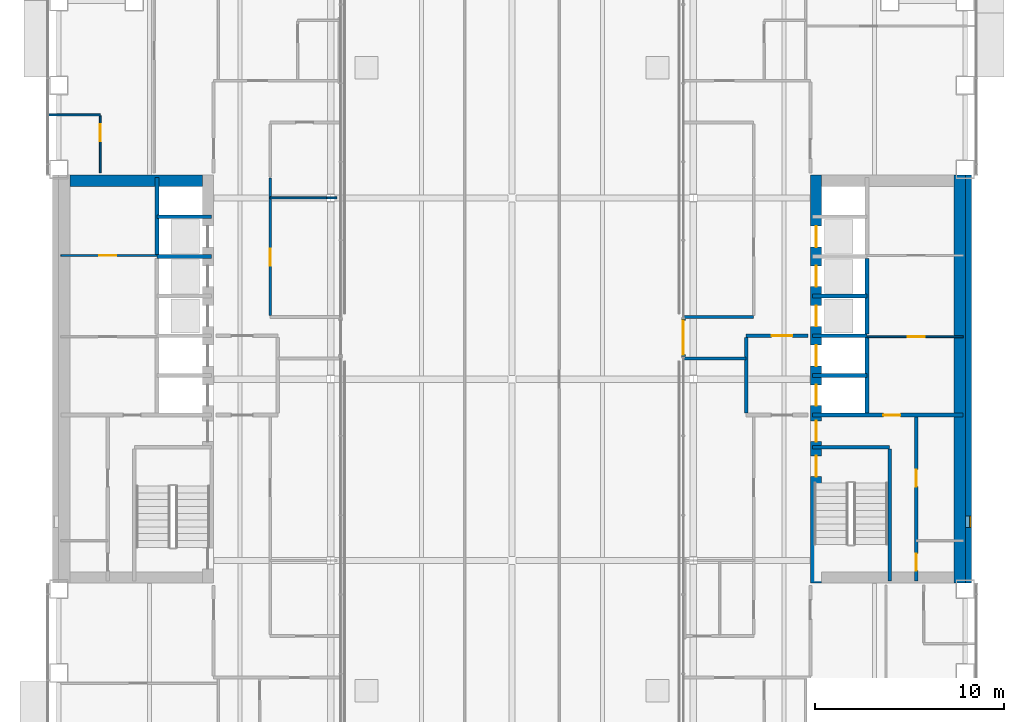
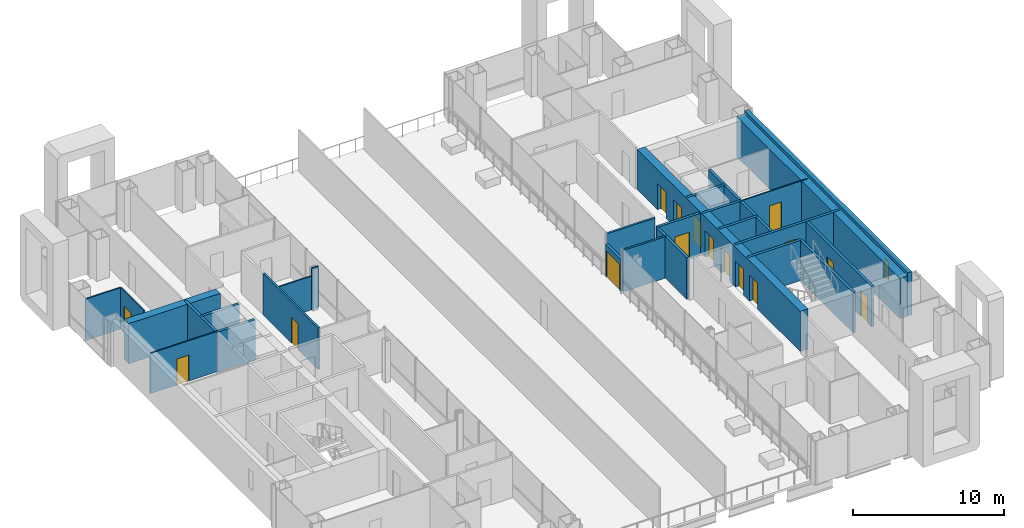
# One storey, part 19 of 24: 28 walls, 16 doors, 1 window, 17 openings.
"""IFC4 building model written with IfcOpenShell, lengths in metres."""

from ifc_helpers import new_model, si_unit, direction, frame, frame_2d, origin, place, context, subcontext, project, spatial, rectangle, extrude, material, layer, layer_set, type_object, element, fill, save


model = new_model("IFC4")

# Units and contexts
model_context = context("Model", 3, precision=1e-05, world=origin(), true_north=direction((0.0, 1.0)))
body_context = subcontext(model_context, "Body", "Model", "MODEL_VIEW")
ifc_project = project(units=[si_unit("LENGTHUNIT", "METRE"), si_unit("AREAUNIT", "SQUARE_METRE"), si_unit("VOLUMEUNIT", "CUBIC_METRE"), si_unit("PLANEANGLEUNIT", "RADIAN"), si_unit("MASSUNIT", "GRAM", prefix="KILO")], contexts=[model_context])

# Site, building, storey
site_placement = place(None, origin())
site = spatial("IfcSite", under=ifc_project, at=site_placement, CompositionType="ELEMENT")
building_placement = place(site_placement, origin())
building = spatial("IfcBuilding", under=site, at=building_placement, Name="Cobrizo Arcos Hotel Tower", CompositionType="ELEMENT")
storey_placement = place(building_placement, frame((0.0, 0.0, 60.0)))
storey = spatial("IfcBuildingStorey", under=building, at=storey_placement, Name="L13", CompositionType="ELEMENT", Elevation=60.0)

# Walls
ifc_material_1 = material(Name="Gypsum board partition")
ifc_layer_1 = layer(ifc_material_1, 0.14990234375)
ifc_layer_set_1 = layer_set([ifc_layer_1], Name="Corridor wall EI 60 150")
wall_type_1 = type_object("IfcWallType", Name="Corridor wall EI 60 150", PredefinedType="PARTITIONING", material=ifc_layer_set_1)
wall_1_placement = place(storey_placement, frame((9.1201171875, 1.10009765625, 0.0), z_axis=(0.0, 0.0, 1.0), x_axis=(1.0, 0.0, 0.0)))
element("IfcWall", 1, at=wall_1_placement, inside=storey, type_object=wall_type_1, Name="Partition 025", PredefinedType="PARTITIONING", context=body_context, shape_type="SweptSolid", body=[
    extrude(rectangle(XDim=3.27978515625, YDim=0.14990234375, at=frame_2d((1.639892578125, 0.0))), origin(), (0.0, 0.0, 1.0), 3.35009765625),
])
wall_2_placement = place(storey_placement, frame((9.1201171875, 3.300048828125, 0.0), z_axis=(0.0, 0.0, 1.0), x_axis=(1.0, 0.0, 0.0)))
element("IfcWall", 2, at=wall_2_placement, inside=storey, type_object=wall_type_1, Name="Partition 033", PredefinedType="PARTITIONING", context=body_context, shape_type="SweptSolid", body=[
    extrude(rectangle(XDim=3.679931640625, YDim=0.14990234375, at=frame_2d((1.83984375, 0.0))), origin(), (0.0, 0.0, 1.0), 3.35009765625),
])

# Wall, opening, door
wall_3_placement = place(storey_placement, frame((-12.800048828125, 3.375, 0.0), z_axis=(0.0, 0.0, 1.0), x_axis=(0.0, 1.0, 0.0)))
wall_3 = element("IfcWall", 3, at=wall_3_placement, inside=storey, type_object=wall_type_1, Name="Partition 067", PredefinedType="PARTITIONING", context=body_context, shape_type="SweptSolid", body=[
    extrude(rectangle(XDim=7.27490234375, YDim=0.14990234375, at=frame_2d((3.637451171875, 0.0))), origin(), (0.0, 0.0, 1.0), 3.35009765625),
])
opening_1_placement = place(wall_3_placement, frame((2.625, 0.0, 0.0)))
opening_1 = element("IfcOpeningElement", 4, at=opening_1_placement, cuts=wall_3, Name="Opening RD-17", PredefinedType="OPENING", context=body_context, shape_type="SweptSolid", body=[
    extrude(rectangle(XDim=0.89990234375, YDim=2.10009765625, at=frame_2d((0.449951171875, 1.050048828125))), frame((0.0, 0.0869140625, 0.0), z_axis=(0.0, -1.0, 0.0), x_axis=(1.0, 0.0, 0.0)), (0.0, 0.0, 1.0), 0.173828125),
])
ifc_material_2 = material(Name="Timber door leaf", Category="wood")
door_type_1 = type_object("IfcDoorType", Name="Room door FD30 900x2100", OperationType="SINGLE_SWING_LEFT", PredefinedType="DOOR", material=ifc_material_2)
door_1_placement = place(opening_1_placement, origin())
door_1 = element("IfcDoor", 5, at=door_1_placement, inside=storey, type_object=door_type_1, Name="Door RD-17", OperationType="SINGLE_SWING_RIGHT", OverallHeight=2.10009765625, OverallWidth=0.89990234375, PredefinedType="DOOR", context=body_context, shape_type="SweptSolid", body=[
    extrude(rectangle(XDim=0.89990234375, YDim=2.10009765625, at=frame_2d((0.449951171875, 1.050048828125))), frame((0.0, 0.02490234375, 0.0), z_axis=(0.0, -1.0, 0.0), x_axis=(1.0, 0.0, 0.0)), (0.0, 0.0, 1.0), 0.050048828125),
])
fill(opening_1, door_1)

# Wall, opening, window
ifc_material_3 = material(Name="Aluminium composite panel pale metal", Category="aluminium")
ifc_layer_2 = layer(ifc_material_3, 0.324951171875)
ifc_layer_set_2 = layer_set([ifc_layer_2], Name="EW-1 insulated panel wall 325")
wall_type_2 = type_object("IfcWallType", Name="EW-1 insulated panel wall 325", PredefinedType="SOLIDWALL", material=ifc_layer_set_2)
wall_4_placement = place(storey_placement, frame((24.16259765625, -10.800048828125, 0.0), z_axis=(0.0, 0.0, 1.0), x_axis=(0.0, 1.0, 0.0)))
wall_4 = element("IfcWall", 6, at=wall_4_placement, inside=storey, type_object=wall_type_2, Name="Core face wall L13 E", PredefinedType="SOLIDWALL", context=body_context, shape_type="SweptSolid", body=[
    extrude(rectangle(XDim=21.60009765625, YDim=0.324951171875, at=frame_2d((10.800048828125, 0.0))), origin(), (0.0, 0.0, 1.0), 3.5),
])
opening_2_placement = place(wall_4_placement, frame((2.949951171875, 0.0, 1.0)))
opening_2 = element("IfcOpeningElement", 7, at=opening_2_placement, cuts=wall_4, Name="Opening W-21", PredefinedType="OPENING", context=body_context, shape_type="SweptSolid", body=[
    extrude(rectangle(XDim=0.60009765625, YDim=1.5, at=frame_2d((0.300048828125, 0.75))), frame((0.0, 0.174560546875, 0.0), z_axis=(0.0, -1.0, 0.0), x_axis=(1.0, 0.0, 0.0)), (0.0, 0.0, 1.0), 0.348876953125),
])
ifc_material_4 = material(Name="Aluminium 6063-T6 and clear laminated glass", Category="aluminium")
window_type = type_object("IfcWindowType", Name="W-C1 core stair slot window 600x1500", PartitioningType="SINGLE_PANEL", PredefinedType="WINDOW", material=ifc_material_4)
window_placement = place(opening_2_placement, origin())
window = element("IfcWindow", 8, at=window_placement, inside=storey, type_object=window_type, Name="Core face wall L13 E window W-21", OverallHeight=1.5, OverallWidth=0.60009765625, PartitioningType="SINGLE_PANEL", PredefinedType="WINDOW", context=body_context, shape_type="SweptSolid", body=[
    extrude(rectangle(XDim=0.60009765625, YDim=1.5, at=frame_2d((0.300048828125, 0.75))), frame((0.0, -0.072509765625, 0.0), z_axis=(0.0, -1.0, 0.0), x_axis=(1.0, 0.0, 0.0)), (0.0, 0.0, 1.0), 0.06005859375),
])
fill(opening_2, window)

# Wall, opening, door
ifc_material_5 = material(Name="Aluminium 6063-T6 anodised pale", Category="aluminium")
ifc_layer_3 = layer(ifc_material_5, 0.199951171875)
ifc_layer_set_3 = layer_set([ifc_layer_3], Name="EW-4 sky bridge door frame wall")
wall_type_3 = type_object("IfcWallType", Name="EW-4 sky bridge door frame wall", PredefinedType="SOLIDWALL", material=ifc_layer_set_3)
wall_5_placement = place(storey_placement, frame((9.074951171875, 1.199951171875, 0.0), z_axis=(0.0, 0.0, 1.0), x_axis=(0.0, 1.0, 0.0)))
wall_5 = element("IfcWall", 9, at=wall_5_placement, inside=storey, type_object=wall_type_3, Name="Garden deck door wall A E", PredefinedType="SOLIDWALL", context=body_context, shape_type="SweptSolid", body=[
    extrude(rectangle(XDim=2.0, YDim=0.199951171875, at=frame_2d((1.0, 0.0))), origin(), (0.0, 0.0, 1.0), 2.59326171875),
])
opening_3_placement = place(wall_5_placement, frame((0.10009765625, 0.0, 0.0)))
opening_3 = element("IfcOpeningElement", 10, at=opening_3_placement, cuts=wall_5, Name="Opening E-18", PredefinedType="OPENING", context=body_context, shape_type="SweptSolid", body=[
    extrude(rectangle(XDim=1.800048828125, YDim=2.10009765625, at=frame_2d((0.89990234375, 1.050048828125))), frame((0.0, 0.112060546875, 0.0), z_axis=(0.0, -1.0, 0.0), x_axis=(1.0, 0.0, 0.0)), (0.0, 0.0, 1.0), 0.223876953125),
])
door_type_2 = type_object("IfcDoorType", Name="D-B1 sky bridge double door 1800x2100", OperationType="DOUBLE_DOOR_DOUBLE_SWING", PredefinedType="DOOR", material=ifc_material_4)
door_2_placement = place(opening_3_placement, origin())
door_2 = element("IfcDoor", 11, at=door_2_placement, inside=storey, type_object=door_type_2, Name="Garden deck door wall A E door E-18", OperationType="DOUBLE_DOOR_DOUBLE_SWING", OverallHeight=2.10009765625, OverallWidth=1.800048828125, PredefinedType="DOOR", context=body_context, shape_type="SweptSolid", body=[
    extrude(rectangle(XDim=1.800048828125, YDim=2.10009765625, at=frame_2d((0.89990234375, 1.050048828125))), frame((0.0, 0.02490234375, 0.0), z_axis=(0.0, -1.0, 0.0), x_axis=(1.0, 0.0, 0.0)), (0.0, 0.0, 1.0), 0.050048828125),
])
fill(opening_3, door_2)

ifc_layer_4 = layer(ifc_material_1, 0.10009765625)
ifc_layer_set_4 = layer_set([ifc_layer_4], Name="Partition EI 30 100")
wall_type_4 = type_object("IfcWallType", Name="Partition EI 30 100", PredefinedType="PARTITIONING", material=ifc_layer_set_4)
wall_6_placement = place(storey_placement, frame((18.800048828125, 2.25, 0.0), z_axis=(0.0, 0.0, 1.0), x_axis=(1.0, 0.0, 0.0)))
wall_6 = element("IfcWall", 12, at=wall_6_placement, inside=storey, type_object=wall_type_4, Name="Partition 027", PredefinedType="PARTITIONING", context=body_context, shape_type="SweptSolid", body=[
    extrude(rectangle(XDim=5.079833984375, YDim=0.10009765625, at=frame_2d((2.5400390625, 0.0))), origin(), (0.0, 0.0, 1.0), 3.25),
])
opening_4_placement = place(wall_6_placement, frame((2.14990234375, 0.0, 0.0)))
opening_4 = element("IfcOpeningElement", 13, at=opening_4_placement, cuts=wall_6, Name="Opening RD-09", PredefinedType="OPENING", context=body_context, shape_type="SweptSolid", body=[
    extrude(rectangle(XDim=0.89990234375, YDim=2.10009765625, at=frame_2d((0.449951171875, 1.050048828125))), frame((0.0, 0.06201171875, 0.0), z_axis=(0.0, -1.0, 0.0), x_axis=(1.0, 0.0, 0.0)), (0.0, 0.0, 1.0), 0.1240234375),
])
door_3_placement = place(opening_4_placement, origin())
door_3 = element("IfcDoor", 14, at=door_3_placement, inside=storey, type_object=door_type_1, Name="Door RD-09", OperationType="SINGLE_SWING_RIGHT", OverallHeight=2.10009765625, OverallWidth=0.89990234375, PredefinedType="DOOR", context=body_context, shape_type="SweptSolid", body=[
    extrude(rectangle(XDim=0.89990234375, YDim=2.10009765625, at=frame_2d((0.449951171875, 1.050048828125))), frame((0.0, 0.02490234375, 0.0), z_axis=(0.0, -1.0, 0.0), x_axis=(1.0, 0.0, 0.0)), (0.0, 0.0, 1.0), 0.050048828125),
])
fill(opening_4, door_3)

wall_7_placement = place(storey_placement, frame((-23.8798828125, 6.550048828125, 0.0), z_axis=(0.0, 0.0, 1.0), x_axis=(1.0, 0.0, 0.0)))
wall_7 = element("IfcWall", 15, at=wall_7_placement, inside=storey, type_object=wall_type_4, Name="Partition 038", PredefinedType="PARTITIONING", context=body_context, shape_type="SweptSolid", body=[
    extrude(rectangle(XDim=5.079833984375, YDim=0.10009765625, at=frame_2d((2.5400390625, 0.0))), origin(), (0.0, 0.0, 1.0), 3.25),
])
opening_5_placement = place(wall_7_placement, frame((2.030029296875, 0.0, 0.0)))
opening_5 = element("IfcOpeningElement", 16, at=opening_5_placement, cuts=wall_7, Name="Opening RD-05", PredefinedType="OPENING", context=body_context, shape_type="SweptSolid", body=[
    extrude(rectangle(XDim=0.89990234375, YDim=2.10009765625, at=frame_2d((0.449951171875, 1.050048828125))), frame((0.0, 0.06201171875, 0.0), z_axis=(0.0, -1.0, 0.0), x_axis=(1.0, 0.0, 0.0)), (0.0, 0.0, 1.0), 0.1240234375),
])
door_4_placement = place(opening_5_placement, origin())
door_4 = element("IfcDoor", 17, at=door_4_placement, inside=storey, type_object=door_type_1, Name="Door RD-05", OperationType="SINGLE_SWING_LEFT", OverallHeight=2.10009765625, OverallWidth=0.89990234375, PredefinedType="DOOR", context=body_context, shape_type="SweptSolid", body=[
    extrude(rectangle(XDim=0.89990234375, YDim=2.10009765625, at=frame_2d((0.449951171875, 1.050048828125))), frame((0.0, 0.02490234375, 0.0), z_axis=(0.0, -1.0, 0.0), x_axis=(1.0, 0.0, 0.0)), (0.0, 0.0, 1.0), 0.050048828125),
])
fill(opening_5, door_4)

# Walls
wall_8_placement = place(storey_placement, frame((-12.800048828125, 9.60009765625, 0.0), z_axis=(0.0, 0.0, 1.0), x_axis=(1.0, 0.0, 0.0)))
element("IfcWall", 18, at=wall_8_placement, inside=storey, type_object=wall_type_4, Name="Partition 042", PredefinedType="PARTITIONING", context=body_context, shape_type="SweptSolid", body=[
    extrude(rectangle(XDim=2.99609375, YDim=0.10009765625, at=frame_2d((1.498046875, 0.0))), origin(), (0.0, 0.0, 1.0), 2.72802734375),
])
wall_9_placement = place(storey_placement, frame((-9.803955078125, 9.60009765625, 0.0), z_axis=(0.0, 0.0, 1.0), x_axis=(1.0, 0.0, 0.0)))
element("IfcWall", 19, at=wall_9_placement, inside=storey, type_object=wall_type_4, Name="Partition 043", PredefinedType="PARTITIONING", context=body_context, shape_type="SweptSolid", body=[
    extrude(rectangle(XDim=0.533935546875, YDim=0.10009765625, at=frame_2d((0.26708984375, 0.0))), origin(), (0.0, 0.0, 1.0), 3.35009765625),
])
wall_10_placement = place(storey_placement, frame((-24.530029296875, 14.0, 0.0), z_axis=(0.0, 0.0, 1.0), x_axis=(1.0, 0.0, 0.0)))
element("IfcWall", 20, at=wall_10_placement, inside=storey, type_object=wall_type_4, Name="Partition 046", PredefinedType="PARTITIONING", context=body_context, shape_type="SweptSolid", body=[
    extrude(rectangle(XDim=2.72998046875, YDim=0.10009765625, at=frame_2d((1.364990234375, 0.0))), origin(), (0.0, 0.0, 1.0), 3.35009765625),
])

# Wall, opening, door
wall_11_placement = place(storey_placement, frame((-21.800048828125, 10.919921875, 0.0), z_axis=(0.0, 0.0, 1.0), x_axis=(0.0, 1.0, 0.0)))
wall_11 = element("IfcWall", 21, at=wall_11_placement, inside=storey, type_object=wall_type_4, Name="Partition 053", PredefinedType="PARTITIONING", context=body_context, shape_type="SweptSolid", body=[
    extrude(rectangle(XDim=3.030029296875, YDim=0.10009765625, at=frame_2d((1.51513671875, 0.0))), origin(), (0.0, 0.0, 1.0), 3.35009765625),
])
opening_6_placement = place(wall_11_placement, frame((1.669921875, 0.0, 0.0)))
opening_6 = element("IfcOpeningElement", 22, at=opening_6_placement, cuts=wall_11, Name="Opening ED-06", PredefinedType="OPENING", context=body_context, shape_type="SweptSolid", body=[
    extrude(rectangle(XDim=0.89990234375, YDim=2.10009765625, at=frame_2d((0.449951171875, 1.050048828125))), frame((0.0, 0.06201171875, 0.0), z_axis=(0.0, -1.0, 0.0), x_axis=(1.0, 0.0, 0.0)), (0.0, 0.0, 1.0), 0.1240234375),
])
door_type_3 = type_object("IfcDoorType", Name="En-suite door 900x2100", OperationType="SINGLE_SWING_LEFT", PredefinedType="DOOR", material=ifc_material_2)
door_5_placement = place(opening_6_placement, origin())
door_5 = element("IfcDoor", 23, at=door_5_placement, inside=storey, type_object=door_type_3, Name="Door ED-06", OperationType="SINGLE_SWING_LEFT", OverallHeight=2.10009765625, OverallWidth=0.89990234375, PredefinedType="DOOR", context=body_context, shape_type="SweptSolid", body=[
    extrude(rectangle(XDim=0.89990234375, YDim=2.10009765625, at=frame_2d((0.449951171875, 1.050048828125))), frame((0.0, 0.02490234375, 0.0), z_axis=(0.0, -1.0, 0.0), x_axis=(1.0, 0.0, 0.0)), (0.0, 0.0, 1.0), 0.050048828125),
])
fill(opening_6, door_5)

# Wall, openings, doors
ifc_material_6 = material(Name="Concrete f'c 60 MPa", Category="concrete")
ifc_layer_5 = layer(ifc_material_6, 0.60009765625)
ifc_layer_set_5 = layer_set([ifc_layer_5], Name="RC core wall 600 f'c 60")
wall_type_5 = type_object("IfcWallType", Name="RC core wall 600 f'c 60", PredefinedType="SHEAR", material=ifc_layer_set_5)
wall_12_placement = place(storey_placement, frame((16.10009765625, -10.800048828125, 0.0), z_axis=(0.0, 0.0, 1.0), x_axis=(0.0, 1.0, 0.0)))
wall_12 = element("IfcWall", 24, at=wall_12_placement, inside=storey, type_object=wall_type_5, Name="Core wall CW1, east core, inner face, L13", PredefinedType="SHEAR", context=body_context, shape_type="SweptSolid", body=[
    extrude(rectangle(XDim=21.60009765625, YDim=0.60009765625, at=frame_2d((10.800048828125, 0.0))), origin(), (0.0, 0.0, 1.0), 3.25),
])
opening_7_placement = place(wall_12_placement, frame((9.39990234375, 0.0, 0.0)))
opening_7 = element("IfcOpeningElement", 25, at=opening_7_placement, cuts=wall_12, Name="Opening LD-06", PredefinedType="OPENING", context=body_context, shape_type="SweptSolid", body=[
    extrude(rectangle(XDim=1.10009765625, YDim=2.10009765625, at=frame_2d((0.550048828125, 1.050048828125))), frame((0.0, 0.31201171875, 0.0), z_axis=(0.0, -1.0, 0.0), x_axis=(1.0, 0.0, 0.0)), (0.0, 0.0, 1.0), 0.6240234375),
])
opening_8_placement = place(wall_12_placement, frame((11.5, 0.0, 0.0)))
opening_8 = element("IfcOpeningElement", 26, at=opening_8_placement, cuts=wall_12, Name="Opening LD-07", PredefinedType="OPENING", context=body_context, shape_type="SweptSolid", body=[
    extrude(rectangle(XDim=1.10009765625, YDim=2.10009765625, at=frame_2d((0.550048828125, 1.050048828125))), frame((0.0, 0.31201171875, 0.0), z_axis=(0.0, -1.0, 0.0), x_axis=(1.0, 0.0, 0.0)), (0.0, 0.0, 1.0), 0.6240234375),
])
opening_9_placement = place(wall_12_placement, frame((13.60009765625, 0.0, 0.0)))
opening_9 = element("IfcOpeningElement", 27, at=opening_9_placement, cuts=wall_12, Name="Opening LD-08", PredefinedType="OPENING", context=body_context, shape_type="SweptSolid", body=[
    extrude(rectangle(XDim=1.10009765625, YDim=2.10009765625, at=frame_2d((0.550048828125, 1.050048828125))), frame((0.0, 0.31201171875, 0.0), z_axis=(0.0, -1.0, 0.0), x_axis=(1.0, 0.0, 0.0)), (0.0, 0.0, 1.0), 0.6240234375),
])
opening_10_placement = place(wall_12_placement, frame((15.699951171875, 0.0, 0.0)))
opening_10 = element("IfcOpeningElement", 28, at=opening_10_placement, cuts=wall_12, Name="Opening LD-09", PredefinedType="OPENING", context=body_context, shape_type="SweptSolid", body=[
    extrude(rectangle(XDim=1.10009765625, YDim=2.10009765625, at=frame_2d((0.550048828125, 1.050048828125))), frame((0.0, 0.31201171875, 0.0), z_axis=(0.0, -1.0, 0.0), x_axis=(1.0, 0.0, 0.0)), (0.0, 0.0, 1.0), 0.6240234375),
])
opening_11_placement = place(wall_12_placement, frame((17.800048828125, 0.0, 0.0)))
opening_11 = element("IfcOpeningElement", 29, at=opening_11_placement, cuts=wall_12, Name="Opening LD-10", PredefinedType="OPENING", context=body_context, shape_type="SweptSolid", body=[
    extrude(rectangle(XDim=1.10009765625, YDim=2.10009765625, at=frame_2d((0.550048828125, 1.050048828125))), frame((0.0, 0.31201171875, 0.0), z_axis=(0.0, -1.0, 0.0), x_axis=(1.0, 0.0, 0.0)), (0.0, 0.0, 1.0), 0.6240234375),
])
opening_12_placement = place(wall_12_placement, frame((5.64208984375, 0.0, 0.0)))
opening_12 = element("IfcOpeningElement", 30, at=opening_12_placement, cuts=wall_12, Name="Opening SD-02", PredefinedType="OPENING", context=body_context, shape_type="SweptSolid", body=[
    extrude(rectangle(XDim=1.10009765625, YDim=2.10009765625, at=frame_2d((0.550048828125, 1.050048828125))), frame((0.0, 0.31201171875, 0.0), z_axis=(0.0, -1.0, 0.0), x_axis=(1.0, 0.0, 0.0)), (0.0, 0.0, 1.0), 0.6240234375),
])
opening_13_placement = place(wall_12_placement, frame((7.5, 0.0, 0.0)))
opening_13 = element("IfcOpeningElement", 31, at=opening_13_placement, cuts=wall_12, Name="Opening FD-04", PredefinedType="OPENING", context=body_context, shape_type="SweptSolid", body=[
    extrude(rectangle(XDim=1.10009765625, YDim=2.10009765625, at=frame_2d((0.550048828125, 1.050048828125))), frame((0.0, 0.31201171875, 0.0), z_axis=(0.0, -1.0, 0.0), x_axis=(1.0, 0.0, 0.0)), (0.0, 0.0, 1.0), 0.6240234375),
])
ifc_material_7 = material(Name="Steel door leaf", Category="steel")
door_type_4 = type_object("IfcDoorType", Name="Fire door FD60 1100x2100", OperationType="SINGLE_SWING_LEFT", PredefinedType="DOOR", material=ifc_material_7)
door_6_placement = place(opening_13_placement, origin())
door_6 = element("IfcDoor", 32, at=door_6_placement, inside=storey, type_object=door_type_4, Name="Door FD-04", OperationType="SINGLE_SWING_RIGHT", OverallHeight=2.10009765625, OverallWidth=1.10009765625, PredefinedType="DOOR", context=body_context, shape_type="SweptSolid", body=[
    extrude(rectangle(XDim=1.10009765625, YDim=2.10009765625, at=frame_2d((0.550048828125, 1.050048828125))), frame((0.0, 0.02490234375, 0.0), z_axis=(0.0, -1.0, 0.0), x_axis=(1.0, 0.0, 0.0)), (0.0, 0.0, 1.0), 0.050048828125),
])
fill(opening_13, door_6)
door_type_5 = type_object("IfcDoorType", Name="Lift landing door 1100x2100", OperationType="SLIDING_TO_LEFT", PredefinedType="DOOR", material=ifc_material_7)
door_7_placement = place(opening_7_placement, origin())
door_7 = element("IfcDoor", 33, at=door_7_placement, inside=storey, type_object=door_type_5, Name="Lift landing door LD-06", OperationType="SLIDING_TO_LEFT", OverallHeight=2.10009765625, OverallWidth=1.10009765625, PredefinedType="DOOR", context=body_context, shape_type="SweptSolid", body=[
    extrude(rectangle(XDim=1.10009765625, YDim=2.10009765625, at=frame_2d((0.550048828125, 1.050048828125))), frame((0.0, 0.02490234375, 0.0), z_axis=(0.0, -1.0, 0.0), x_axis=(1.0, 0.0, 0.0)), (0.0, 0.0, 1.0), 0.050048828125),
])
fill(opening_7, door_7)
door_8_placement = place(opening_8_placement, origin())
door_8 = element("IfcDoor", 34, at=door_8_placement, inside=storey, type_object=door_type_5, Name="Lift landing door LD-07", OperationType="SLIDING_TO_LEFT", OverallHeight=2.10009765625, OverallWidth=1.10009765625, PredefinedType="DOOR", context=body_context, shape_type="SweptSolid", body=[
    extrude(rectangle(XDim=1.10009765625, YDim=2.10009765625, at=frame_2d((0.550048828125, 1.050048828125))), frame((0.0, 0.02490234375, 0.0), z_axis=(0.0, -1.0, 0.0), x_axis=(1.0, 0.0, 0.0)), (0.0, 0.0, 1.0), 0.050048828125),
])
fill(opening_8, door_8)
door_9_placement = place(opening_9_placement, origin())
door_9 = element("IfcDoor", 35, at=door_9_placement, inside=storey, type_object=door_type_5, Name="Lift landing door LD-08", OperationType="SLIDING_TO_LEFT", OverallHeight=2.10009765625, OverallWidth=1.10009765625, PredefinedType="DOOR", context=body_context, shape_type="SweptSolid", body=[
    extrude(rectangle(XDim=1.10009765625, YDim=2.10009765625, at=frame_2d((0.550048828125, 1.050048828125))), frame((0.0, 0.02490234375, 0.0), z_axis=(0.0, -1.0, 0.0), x_axis=(1.0, 0.0, 0.0)), (0.0, 0.0, 1.0), 0.050048828125),
])
fill(opening_9, door_9)
door_10_placement = place(opening_10_placement, origin())
door_10 = element("IfcDoor", 36, at=door_10_placement, inside=storey, type_object=door_type_5, Name="Lift landing door LD-09", OperationType="SLIDING_TO_LEFT", OverallHeight=2.10009765625, OverallWidth=1.10009765625, PredefinedType="DOOR", context=body_context, shape_type="SweptSolid", body=[
    extrude(rectangle(XDim=1.10009765625, YDim=2.10009765625, at=frame_2d((0.550048828125, 1.050048828125))), frame((0.0, 0.02490234375, 0.0), z_axis=(0.0, -1.0, 0.0), x_axis=(1.0, 0.0, 0.0)), (0.0, 0.0, 1.0), 0.050048828125),
])
fill(opening_10, door_10)
door_11_placement = place(opening_11_placement, origin())
door_11 = element("IfcDoor", 37, at=door_11_placement, inside=storey, type_object=door_type_5, Name="Lift landing door LD-10", OperationType="SLIDING_TO_LEFT", OverallHeight=2.10009765625, OverallWidth=1.10009765625, PredefinedType="DOOR", context=body_context, shape_type="SweptSolid", body=[
    extrude(rectangle(XDim=1.10009765625, YDim=2.10009765625, at=frame_2d((0.550048828125, 1.050048828125))), frame((0.0, 0.02490234375, 0.0), z_axis=(0.0, -1.0, 0.0), x_axis=(1.0, 0.0, 0.0)), (0.0, 0.0, 1.0), 0.050048828125),
])
fill(opening_11, door_11)
door_type_6 = type_object("IfcDoorType", Name="Stair door FD60S 1100x2100", OperationType="SINGLE_SWING_LEFT", PredefinedType="DOOR", material=ifc_material_7)
door_12_placement = place(opening_12_placement, origin())
door_12 = element("IfcDoor", 38, at=door_12_placement, inside=storey, type_object=door_type_6, Name="Door SD-02", OperationType="SINGLE_SWING_LEFT", OverallHeight=2.10009765625, OverallWidth=1.10009765625, PredefinedType="DOOR", context=body_context, shape_type="SweptSolid", body=[
    extrude(rectangle(XDim=1.10009765625, YDim=2.10009765625, at=frame_2d((0.550048828125, 1.050048828125))), frame((0.0, 0.02490234375, 0.0), z_axis=(0.0, -1.0, 0.0), x_axis=(1.0, 0.0, 0.0)), (0.0, 0.0, 1.0), 0.050048828125),
])
fill(opening_12, door_12)

# Walls
wall_13_placement = place(storey_placement, frame((23.699951171875, -10.800048828125, 0.0), z_axis=(0.0, 0.0, 1.0), x_axis=(0.0, 1.0, 0.0)))
element("IfcWall", 39, at=wall_13_placement, inside=storey, type_object=wall_type_5, Name="Core wall CW1, east core, outer face, L13", PredefinedType="SHEAR", context=body_context, shape_type="SweptSolid", body=[
    extrude(rectangle(XDim=21.60009765625, YDim=0.60009765625, at=frame_2d((10.800048828125, 0.0))), origin(), (0.0, 0.0, 1.0), 3.25),
])
wall_14_placement = place(storey_placement, frame((-23.39990234375, 10.5, 0.0), z_axis=(0.0, 0.0, 1.0), x_axis=(1.0, 0.0, 0.0)))
element("IfcWall", 40, at=wall_14_placement, inside=storey, type_object=wall_type_5, Name="Core wall CW1, west core, north end, L13", PredefinedType="SHEAR", context=body_context, shape_type="SweptSolid", body=[
    extrude(rectangle(XDim=7.0, YDim=0.60009765625, at=frame_2d((3.5, 0.0))), origin(), (0.0, 0.0, 1.0), 3.25),
])

# Wall, opening, door
ifc_layer_6 = layer(ifc_material_1, 0.199951171875)
ifc_layer_set_6 = layer_set([ifc_layer_6], Name="Shaft wall EI 120 200")
wall_type_6 = type_object("IfcWallType", Name="Shaft wall EI 120 200", PredefinedType="PARTITIONING", material=ifc_layer_set_6)
wall_15_placement = place(storey_placement, frame((15.919921875, -1.89990234375, 0.0), z_axis=(0.0, 0.0, 1.0), x_axis=(1.0, 0.0, 0.0)))
wall_15 = element("IfcWall", 41, at=wall_15_placement, inside=storey, type_object=wall_type_6, Name="Partition 021", PredefinedType="PARTITIONING", context=body_context, shape_type="SweptSolid", body=[
    extrude(rectangle(XDim=7.9599609375, YDim=0.199951171875, at=frame_2d((3.97998046875, 0.0))), origin(), (0.0, 0.0, 1.0), 3.25),
])
opening_14_placement = place(wall_15_placement, frame((3.739990234375, 0.0, 0.0)))
opening_14 = element("IfcOpeningElement", 42, at=opening_14_placement, cuts=wall_15, Name="Opening RD-08", PredefinedType="OPENING", context=body_context, shape_type="SweptSolid", body=[
    extrude(rectangle(XDim=0.89990234375, YDim=2.10009765625, at=frame_2d((0.449951171875, 1.050048828125))), frame((0.0, 0.112060546875, 0.0), z_axis=(0.0, -1.0, 0.0), x_axis=(1.0, 0.0, 0.0)), (0.0, 0.0, 1.0), 0.223876953125),
])
door_13_placement = place(opening_14_placement, origin())
door_13 = element("IfcDoor", 43, at=door_13_placement, inside=storey, type_object=door_type_1, Name="Door RD-08", OperationType="SINGLE_SWING_RIGHT", OverallHeight=2.10009765625, OverallWidth=0.89990234375, PredefinedType="DOOR", context=body_context, shape_type="SweptSolid", body=[
    extrude(rectangle(XDim=0.89990234375, YDim=2.10009765625, at=frame_2d((0.449951171875, 1.050048828125))), frame((0.0, 0.02490234375, 0.0), z_axis=(0.0, -1.0, 0.0), x_axis=(1.0, 0.0, 0.0)), (0.0, 0.0, 1.0), 0.050048828125),
])
fill(opening_14, door_13)

# Wall
wall_16_placement = place(storey_placement, frame((15.919921875, 0.199951171875, 0.0), z_axis=(0.0, 0.0, 1.0), x_axis=(1.0, 0.0, 0.0)))
element("IfcWall", 44, at=wall_16_placement, inside=storey, type_object=wall_type_6, Name="Partition 023", PredefinedType="PARTITIONING", context=body_context, shape_type="SweptSolid", body=[
    extrude(rectangle(XDim=2.880126953125, YDim=0.199951171875, at=frame_2d((1.43994140625, 0.0))), origin(), (0.0, 0.0, 1.0), 3.25),
])

# Wall, opening, door
wall_17_placement = place(storey_placement, frame((12.39990234375, 2.300048828125, 0.0), z_axis=(0.0, 0.0, 1.0), x_axis=(1.0, 0.0, 0.0)))
wall_17 = element("IfcWall", 45, at=wall_17_placement, inside=storey, type_object=wall_type_6, Name="Partition 030", PredefinedType="PARTITIONING", context=body_context, shape_type="SweptSolid", body=[
    extrude(rectangle(XDim=3.280029296875, YDim=0.199951171875, at=frame_2d((1.64013671875, 0.0))), origin(), (0.0, 0.0, 1.0), 3.35009765625),
])
opening_15_placement = place(wall_17_placement, frame((1.340087890625, 0.0, 0.0)))
opening_15 = element("IfcOpeningElement", 46, at=opening_15_placement, cuts=wall_17, Name="Opening FD-05", PredefinedType="OPENING", context=body_context, shape_type="SweptSolid", body=[
    extrude(rectangle(XDim=1.10009765625, YDim=2.10009765625, at=frame_2d((0.550048828125, 1.050048828125))), frame((0.0, 0.112060546875, 0.0), z_axis=(0.0, -1.0, 0.0), x_axis=(1.0, 0.0, 0.0)), (0.0, 0.0, 1.0), 0.223876953125),
])
door_14_placement = place(opening_15_placement, origin())
door_14 = element("IfcDoor", 47, at=door_14_placement, inside=storey, type_object=door_type_4, Name="Door FD-05", OperationType="SINGLE_SWING_RIGHT", OverallHeight=2.10009765625, OverallWidth=1.10009765625, PredefinedType="DOOR", context=body_context, shape_type="SweptSolid", body=[
    extrude(rectangle(XDim=1.10009765625, YDim=2.10009765625, at=frame_2d((0.550048828125, 1.050048828125))), frame((0.0, 0.02490234375, 0.0), z_axis=(0.0, -1.0, 0.0), x_axis=(1.0, 0.0, 0.0)), (0.0, 0.0, 1.0), 0.050048828125),
])
fill(opening_15, door_14)

# Walls
for number, where, z_axis, x_axis, name in (
    (48, (15.919921875, 2.300048828125, 0.0), (0.0, 0.0, 1.0), (1.0, 0.0, 0.0), "Partition 031"),
    (49, (15.919921875, 4.39990234375, 0.0), (0.0, 0.0, 1.0), (1.0, 0.0, 0.0), "Partition 035"),
    (50, (-18.800048828125, 6.5, 0.0), (0.0, 0.0, 1.0), (1.0, 0.0, 0.0), "Partition 036"),
    (51, (-18.800048828125, 8.60009765625, 0.0), (0.0, 0.0, 1.0), (1.0, 0.0, 0.0), "Partition 040"),
):
    element("IfcWall", number, at=place(storey_placement, frame(where, z_axis=z_axis, x_axis=x_axis)), inside=storey, type_object=wall_type_6, Name=name, PredefinedType="PARTITIONING", context=body_context, shape_type="SweptSolid", body=[
        extrude(rectangle(XDim=2.880126953125, YDim=0.199951171875, at=frame_2d((1.43994140625, 0.0))), origin(), (0.0, 0.0, 1.0), 3.25),
    ])
wall_18_placement = place(storey_placement, frame((-18.800048828125, 6.60009765625, 0.0), z_axis=(0.0, 0.0, 1.0), x_axis=(0.0, 1.0, 0.0)))
element("IfcWall", 52, at=wall_18_placement, inside=storey, type_object=wall_type_6, Name="Partition 059", PredefinedType="PARTITIONING", context=body_context, shape_type="SweptSolid", body=[
    extrude(rectangle(XDim=4.079833984375, YDim=0.199951171875, at=frame_2d((2.0400390625, 0.0))), origin(), (0.0, 0.0, 1.0), 3.25),
])
wall_19_placement = place(storey_placement, frame((12.39990234375, -1.800048828125, 0.0), z_axis=(0.0, 0.0, 1.0), x_axis=(0.0, 1.0, 0.0)))
element("IfcWall", 53, at=wall_19_placement, inside=storey, type_object=wall_type_6, Name="Partition 076", PredefinedType="PARTITIONING", context=body_context, shape_type="SweptSolid", body=[
    extrude(rectangle(XDim=4.0, YDim=0.199951171875, at=frame_2d((2.0, 0.0))), origin(), (0.0, 0.0, 1.0), 3.35009765625),
])
for number, where, z_axis, x_axis, name in (
    (54, (18.800048828125, -1.800048828125, 0.0), (0.0, 0.0, 1.0), (0.0, 1.0, 0.0), "Partition 087"),
    (55, (18.800048828125, 2.39990234375, 0.0), (0.0, 0.0, 1.0), (0.0, 1.0, 0.0), "Partition 088"),
):
    element("IfcWall", number, at=place(storey_placement, frame(where, z_axis=z_axis, x_axis=x_axis)), inside=storey, type_object=wall_type_6, Name=name, PredefinedType="PARTITIONING", context=body_context, shape_type="SweptSolid", body=[
        extrude(rectangle(XDim=4.0, YDim=0.199951171875, at=frame_2d((2.0, 0.0))), origin(), (0.0, 0.0, 1.0), 3.25),
    ])

# Wall, openings, doors
wall_20_placement = place(storey_placement, frame((21.39990234375, -10.679931640625, 0.0), z_axis=(0.0, 0.0, 1.0), x_axis=(0.0, 1.0, 0.0)))
wall_20 = element("IfcWall", 56, at=wall_20_placement, inside=storey, type_object=wall_type_6, Name="Partition 092", PredefinedType="PARTITIONING", context=body_context, shape_type="SweptSolid", body=[
    extrude(rectangle(XDim=8.679931640625, YDim=0.199951171875, at=frame_2d((4.33984375, 0.0))), origin(), (0.0, 0.0, 1.0), 3.25),
])
opening_16_placement = place(wall_20_placement, frame((0.54296875, 0.0, 0.0)))
opening_16 = element("IfcOpeningElement", 57, at=opening_16_placement, cuts=wall_20, Name="Opening RD-06", PredefinedType="OPENING", context=body_context, shape_type="SweptSolid", body=[
    extrude(rectangle(XDim=0.89990234375, YDim=2.10009765625, at=frame_2d((0.449951171875, 1.050048828125))), frame((0.0, 0.112060546875, 0.0), z_axis=(0.0, -1.0, 0.0), x_axis=(1.0, 0.0, 0.0)), (0.0, 0.0, 1.0), 0.223876953125),
])
opening_17_placement = place(wall_20_placement, frame((4.992919921875, 0.0, 0.0)))
opening_17 = element("IfcOpeningElement", 58, at=opening_17_placement, cuts=wall_20, Name="Opening RD-07", PredefinedType="OPENING", context=body_context, shape_type="SweptSolid", body=[
    extrude(rectangle(XDim=0.89990234375, YDim=2.10009765625, at=frame_2d((0.449951171875, 1.050048828125))), frame((0.0, 0.112060546875, 0.0), z_axis=(0.0, -1.0, 0.0), x_axis=(1.0, 0.0, 0.0)), (0.0, 0.0, 1.0), 0.223876953125),
])
door_15_placement = place(opening_16_placement, origin())
door_15 = element("IfcDoor", 59, at=door_15_placement, inside=storey, type_object=door_type_1, Name="Door RD-06", OperationType="SINGLE_SWING_LEFT", OverallHeight=2.10009765625, OverallWidth=0.89990234375, PredefinedType="DOOR", context=body_context, shape_type="SweptSolid", body=[
    extrude(rectangle(XDim=0.89990234375, YDim=2.10009765625, at=frame_2d((0.449951171875, 1.050048828125))), frame((0.0, 0.02490234375, 0.0), z_axis=(0.0, -1.0, 0.0), x_axis=(1.0, 0.0, 0.0)), (0.0, 0.0, 1.0), 0.050048828125),
])
fill(opening_16, door_15)
door_16_placement = place(opening_17_placement, origin())
door_16 = element("IfcDoor", 60, at=door_16_placement, inside=storey, type_object=door_type_1, Name="Door RD-07", OperationType="SINGLE_SWING_RIGHT", OverallHeight=2.10009765625, OverallWidth=0.89990234375, PredefinedType="DOOR", context=body_context, shape_type="SweptSolid", body=[
    extrude(rectangle(XDim=0.89990234375, YDim=2.10009765625, at=frame_2d((0.449951171875, 1.050048828125))), frame((0.0, 0.02490234375, 0.0), z_axis=(0.0, -1.0, 0.0), x_axis=(1.0, 0.0, 0.0)), (0.0, 0.0, 1.0), 0.050048828125),
])
fill(opening_17, door_16)

# Walls
ifc_material_8 = material(Name="Concrete f'c 40 MPa", Category="concrete")
ifc_layer_7 = layer(ifc_material_8, 0.199951171875)
ifc_layer_set_7 = layer_set([ifc_layer_7], Name="Stair shaft wall 200")
wall_type_7 = type_object("IfcWallType", Name="Stair shaft wall 200", PredefinedType="SHEAR", material=ifc_layer_set_7)
wall_21_placement = place(storey_placement, frame((15.919921875, -3.60009765625, 0.0), z_axis=(0.0, 0.0, 1.0), x_axis=(1.0, 0.0, 0.0)))
element("IfcWall", 61, at=wall_21_placement, inside=storey, type_object=wall_type_7, Name="Stair shaft wall E", PredefinedType="SHEAR", context=body_context, shape_type="SweptSolid", body=[
    extrude(rectangle(XDim=4.080078125, YDim=0.199951171875, at=frame_2d((2.0400390625, 0.0))), origin(), (0.0, 0.0, 1.0), 3.25),
])
wall_22_placement = place(storey_placement, frame((20.0, -10.679931640625, 0.0), z_axis=(0.0, 0.0, 1.0), x_axis=(0.0, 1.0, 0.0)))
element("IfcWall", 62, at=wall_22_placement, inside=storey, type_object=wall_type_7, Name="Stair shaft wall E", PredefinedType="SHEAR", context=body_context, shape_type="SweptSolid", body=[
    extrude(rectangle(XDim=6.97998046875, YDim=0.199951171875, at=frame_2d((3.489990234375, 0.0))), origin(), (0.0, 0.0, 1.0), 3.25),
])

save(model, "model.ifc")
